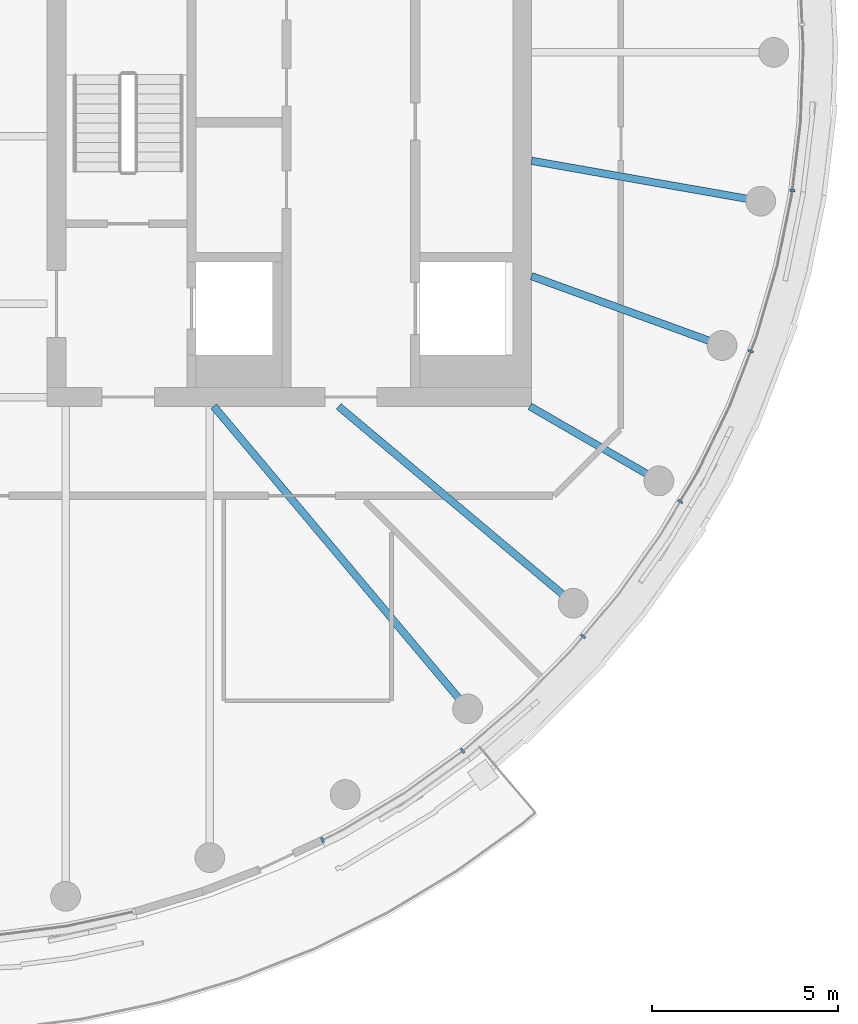
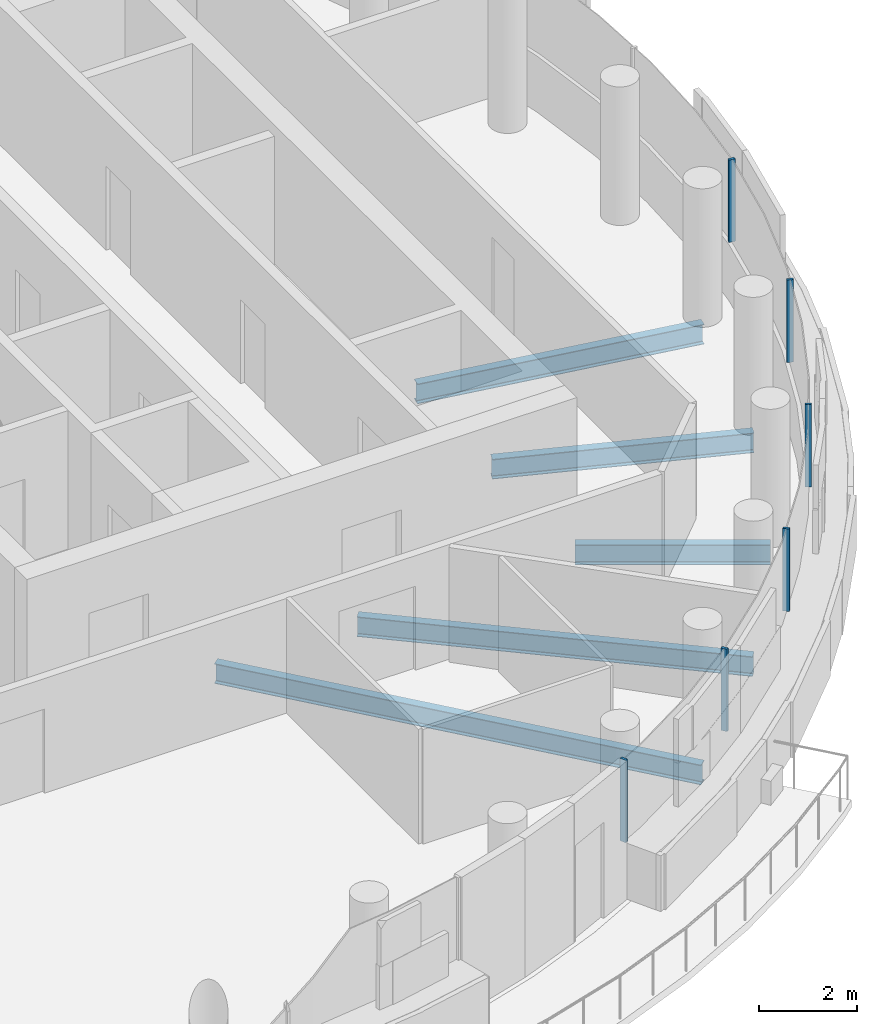
# One storey, part 6 of 21: 6 members, 5 beams, 1 element without a shape of its own.
"""IFC4 building model written with IfcOpenShell, lengths in metres."""

from ifc_helpers import new_model, si_unit, direction, frame, origin, origin_2d, place, context, subcontext, project, spatial, rectangle, i_section, extrude, material, layer, layer_set, material_profile, profile_set, type_object, element, aggregate, save


model = new_model("IFC4")

# Units and contexts
model_context = context("Model", 3, precision=1e-05, world=origin(), true_north=direction((0.0, 1.0)))
body_context = subcontext(model_context, "Body", "Model", "MODEL_VIEW")
ifc_project = project(units=[si_unit("LENGTHUNIT", "METRE"), si_unit("AREAUNIT", "SQUARE_METRE"), si_unit("VOLUMEUNIT", "CUBIC_METRE"), si_unit("PLANEANGLEUNIT", "RADIAN"), si_unit("MASSUNIT", "GRAM", prefix="KILO")], contexts=[model_context])

# Site, building, storey
site_placement = place(None, origin())
site = spatial("IfcSite", under=ifc_project, at=site_placement, CompositionType="ELEMENT")
building_placement = place(site_placement, origin())
building = spatial("IfcBuilding", under=site, at=building_placement, Name="Tamarind Cross Interchange Tower", CompositionType="ELEMENT")
storey_placement = place(building_placement, frame((0.0, 0.0, 271.199951171875)))
storey = spatial("IfcBuildingStorey", under=building, at=storey_placement, Name="L69", CompositionType="ELEMENT", Elevation=271.199951171875)

# Beams
ifc_material_1 = material(Name="Steel Q355B", Category="steel")
ifc_material_profile_1 = material_profile(ifc_material_1, i_section(OverallWidth=0.198974609375, OverallDepth=0.49609375, WebThickness=0.009033203125, FlangeThickness=0.013916015625, FilletRadius=0.012939453125, at=origin_2d()), Name="HN 496x199x9x14")
ifc_profile_set_1 = profile_set([ifc_material_profile_1], Name="Steel Q355B")
beam_type = type_object("IfcBeamType", Name="Composite beam HN 496x199x9x14 Q355B", PredefinedType="BEAM", material=ifc_profile_set_1)
beam_1_placement = place(storey_placement, frame((14.7841796875, -17.619140625, -0.387939453125), z_axis=(-0.642786293979, 0.766045547127, 0.0), x_axis=(-0.766045547127, -0.642786293979, 0.0)))
element("IfcBeam", 1, at=beam_1_placement, inside=storey, type_object=beam_type, Name="Beam HH31", PredefinedType="BEAM", context=body_context, shape_type="SweptSolid", body=[
    extrude(i_section(OverallWidth=0.198974609375, OverallDepth=0.49609375, WebThickness=0.009033203125, FlangeThickness=0.013916015625, FilletRadius=0.012939453125, at=origin_2d()), origin(), (0.0, 0.0, 1.0), 10.598876953125),
])
beam_2_placement = place(storey_placement, frame((17.619140625, -14.7841796875, -0.387939453125), z_axis=(-0.766040580814, 0.642792212574, 0.0), x_axis=(-0.642792212574, -0.766040580814, 0.0)))
element("IfcBeam", 2, at=beam_2_placement, inside=storey, type_object=beam_type, Name="Beam HH32", PredefinedType="BEAM", context=body_context, shape_type="SweptSolid", body=[
    extrude(i_section(OverallWidth=0.198974609375, OverallDepth=0.49609375, WebThickness=0.009033203125, FlangeThickness=0.013916015625, FilletRadius=0.012939453125, at=origin_2d()), origin(), (0.0, 0.0, 1.0), 8.220703125),
])
beam_3_placement = place(storey_placement, frame((19.918701171875, -11.5, -0.387939453125), z_axis=(-0.866026010844, 0.49999894854, 0.0), x_axis=(-0.49999894854, -0.866026010844, 0.0)))
element("IfcBeam", 3, at=beam_3_placement, inside=storey, type_object=beam_type, Name="Beam HH33", PredefinedType="BEAM", context=body_context, shape_type="SweptSolid", body=[
    extrude(i_section(OverallWidth=0.198974609375, OverallDepth=0.49609375, WebThickness=0.009033203125, FlangeThickness=0.013916015625, FilletRadius=0.012939453125, at=origin_2d()), origin(), (0.0, 0.0, 1.0), 4.0),
])
beam_4_placement = place(storey_placement, frame((21.613037109375, -7.866455078125, -0.387939453125), z_axis=(-0.939701685589, 0.341995236956, 0.0), x_axis=(-0.341995236956, -0.939701685589, 0.0)))
element("IfcBeam", 4, at=beam_4_placement, inside=storey, type_object=beam_type, Name="Beam HH34", PredefinedType="BEAM", context=body_context, shape_type="SweptSolid", body=[
    extrude(i_section(OverallWidth=0.198974609375, OverallDepth=0.49609375, WebThickness=0.009033203125, FlangeThickness=0.013916015625, FilletRadius=0.012939453125, at=origin_2d()), origin(), (0.0, 0.0, 1.0), 5.441162109375),
])
beam_5_placement = place(storey_placement, frame((22.650634765625, -3.993896484375, -0.387939453125), z_axis=(-0.984809127561, 0.173640382036, 0.0), x_axis=(-0.173640382036, -0.984809127561, 0.0)))
element("IfcBeam", 5, at=beam_5_placement, inside=storey, type_object=beam_type, Name="Beam HH35", PredefinedType="BEAM", context=body_context, shape_type="SweptSolid", body=[
    extrude(i_section(OverallWidth=0.198974609375, OverallDepth=0.49609375, WebThickness=0.009033203125, FlangeThickness=0.013916015625, FilletRadius=0.012939453125, at=origin_2d()), origin(), (0.0, 0.0, 1.0), 6.24560546875),
])

# Curtain wall, members
ifc_material_2 = material(Name="Aluminium 6063-T6", Category="aluminium")
ifc_layer = layer(ifc_material_2, 0.139892578125)
ifc_layer_set = layer_set([ifc_layer], Name="Aluminium 6063-T6")
curtain_wall_type = type_object("IfcCurtainWallType", Name="Hotel curtain wall, 4.5 m bays", PredefinedType="NOTDEFINED", material=ifc_layer_set)
curtain_wall_placement = place(storey_placement, origin())
curtain_wall = element("IfcCurtainWall", 6, at=curtain_wall_placement, inside=storey, type_object=curtain_wall_type, Name="CWS-L69-01", PredefinedType="NOTDEFINED")
ifc_material_profile_2 = material_profile(ifc_material_2, rectangle(XDim=0.06005859375, YDim=0.139892578125, at=origin_2d()), Name="Mullion CW2")
ifc_profile_set_2 = profile_set([ifc_material_profile_2], Name="Aluminium 6063-T6")
member_type = type_object("IfcMemberType", Name="Mullion CW2", PredefinedType="MULLION", material=ifc_profile_set_2)
member_1_placement = place(storey_placement, frame((10.888427734375, -21.139404296875, 1.400146484375), z_axis=(0.0, 0.0, 1.0), x_axis=(0.896492548518, 0.443058811505, 0.0)))
member_1 = element("IfcMember", 7, at=member_1_placement, type_object=member_type, Name="CWM-L69-01-16", PredefinedType="MULLION", context=body_context, shape_type="SweptSolid", body=[
    extrude(rectangle(XDim=0.06005859375, YDim=0.139892578125, at=origin_2d()), origin(), (0.0, 0.0, 1.0), 2.059814453125),
])
member_2_placement = place(storey_placement, frame((14.652099609375, -18.7470703125, 1.400146484375), z_axis=(0.0, 0.0, 1.0), x_axis=(0.811340475102, 0.584573890505, 0.0)))
member_2 = element("IfcMember", 8, at=member_2_placement, type_object=member_type, Name="CWM-L69-01-17", PredefinedType="MULLION", context=body_context, shape_type="SweptSolid", body=[
    extrude(rectangle(XDim=0.06005859375, YDim=0.139892578125, at=origin_2d()), origin(), (0.0, 0.0, 1.0), 2.059814453125),
])
member_3_placement = place(storey_placement, frame((17.88427734375, -15.67431640625, 1.400146484375), z_axis=(0.0, 0.0, 1.0), x_axis=(0.643009266048, 0.765858396687, 0.0)))
member_3 = element("IfcMember", 9, at=member_3_placement, type_object=member_type, Name="CWM-L69-01-18", PredefinedType="MULLION", context=body_context, shape_type="SweptSolid", body=[
    extrude(rectangle(XDim=0.06005859375, YDim=0.139892578125, at=origin_2d()), origin(), (0.0, 0.0, 1.0), 2.059814453125),
])
member_4_placement = place(storey_placement, frame((20.491455078125, -12.05712890625, 1.400146484375), z_axis=(0.0, 0.0, 1.0), x_axis=(0.508183308752, 0.861248933065, 0.0)))
member_4 = element("IfcMember", 10, at=member_4_placement, type_object=member_type, Name="CWM-L69-01-19", PredefinedType="MULLION", context=body_context, shape_type="SweptSolid", body=[
    extrude(rectangle(XDim=0.06005859375, YDim=0.139892578125, at=origin_2d()), origin(), (0.0, 0.0, 1.0), 2.059814453125),
])
member_5_placement = place(storey_placement, frame((22.388427734375, -8.02197265625, 1.400146484375), z_axis=(0.0, 0.0, 1.0), x_axis=(0.359495435512, 0.933146843667, 0.0)))
member_5 = element("IfcMember", 11, at=member_5_placement, type_object=member_type, Name="CWM-L69-01-20", PredefinedType="MULLION", context=body_context, shape_type="SweptSolid", body=[
    extrude(rectangle(XDim=0.06005859375, YDim=0.139892578125, at=origin_2d()), origin(), (0.0, 0.0, 1.0), 2.059814453125),
])
member_6_placement = place(storey_placement, frame((23.501220703125, -3.703857421875, 1.400146484375), z_axis=(0.0, 0.0, 1.0), x_axis=(0.119420963295, 0.992843710523, 0.0)))
member_6 = element("IfcMember", 12, at=member_6_placement, type_object=member_type, Name="CWM-L69-01-21", PredefinedType="MULLION", context=body_context, shape_type="SweptSolid", body=[
    extrude(rectangle(XDim=0.06005859375, YDim=0.139892578125, at=origin_2d()), origin(), (0.0, 0.0, 1.0), 2.059814453125),
])
aggregate(curtain_wall, [member_1, member_2, member_3, member_4, member_5, member_6])

save(model, "model.ifc")
